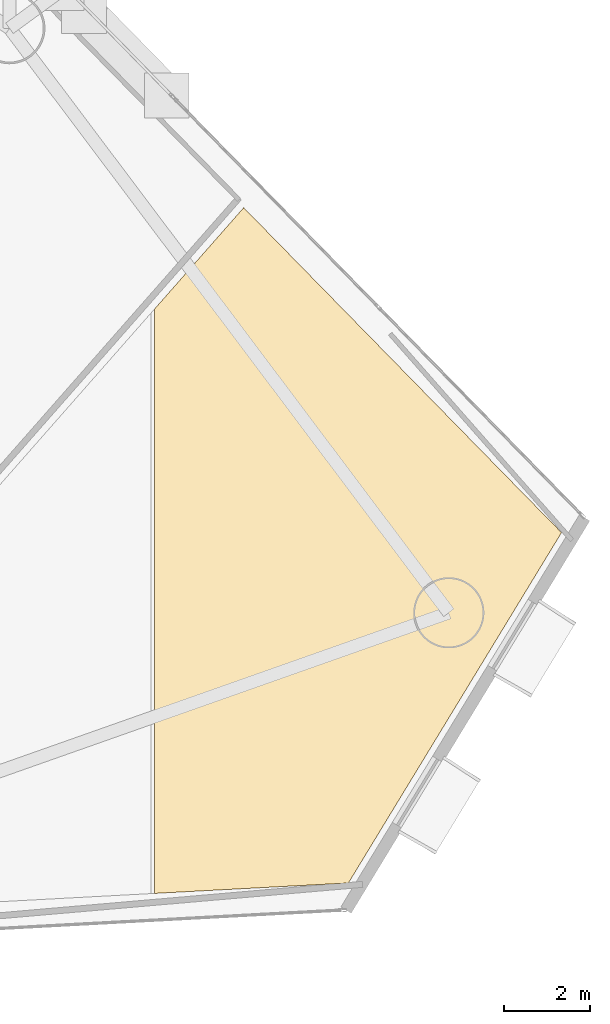
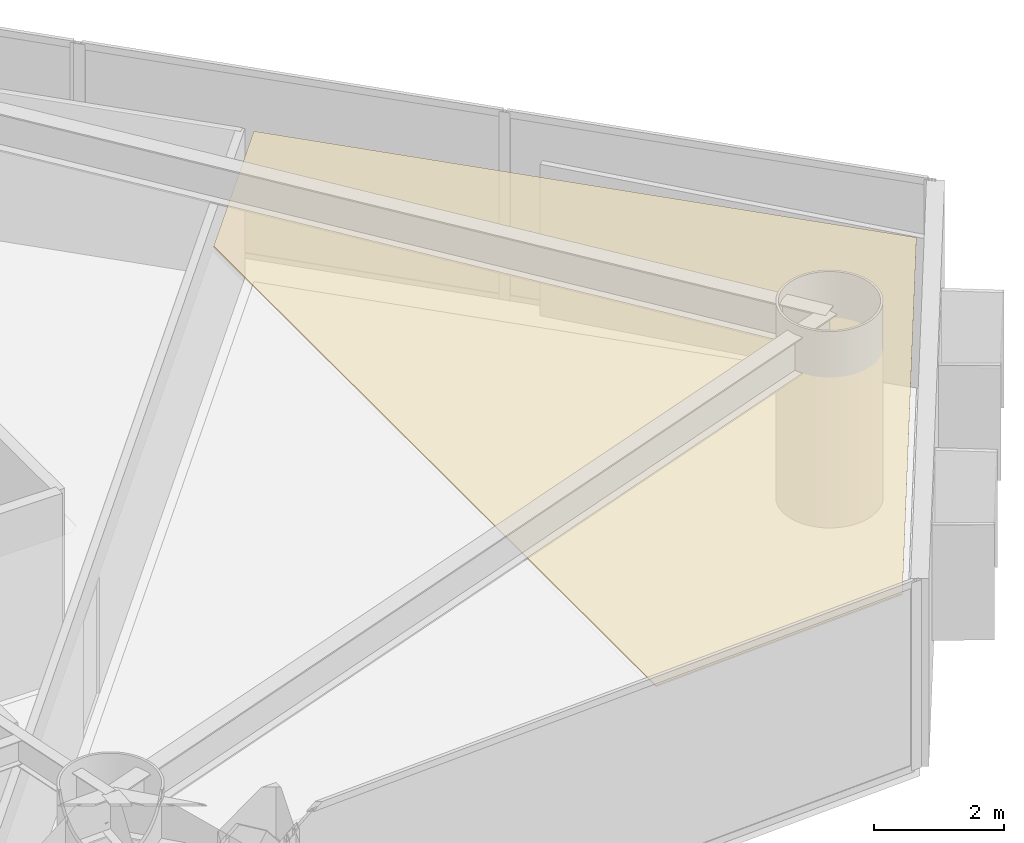
# One storey, part 23 of 23: 1 covering.
"""IFC4 building model written with IfcOpenShell, lengths in metres."""

import ifcopenshell
import ifcopenshell.guid

model = None  # the IFC model being written
_history = None  # IfcOwnerHistory: only IFC2X3 demands one
_inside = {}  # id of a spatial element -> (the spatial element, [elements in it])
_under = {}  # id of a project, library or spatial element -> (it, [spatial elements below it])
_declared = {}  # id of a project -> (the project, [libraries it declares])
_typed = {}  # id of a type object -> (the type object, [elements of that type])
_made_of = {}  # id of a material, layer set ... -> (it, [elements and type objects made of it])


def new_model(schema):
    """Start an empty IFC model of exactly this schema.

    Asked for "IFC4X3", IfcOpenShell would pick the latest addendum, in which some entities
    have other attributes; the version numbers below select the first issue.
    IFC2X3 requires an IfcOwnerHistory on every rooted entity: one is made here for all.
    """
    global model, _history
    if schema == "IFC4X3":
        model = ifcopenshell.file(schema_version=(4, 3, 0, 0))
    else:
        model = ifcopenshell.file(schema=schema)
    _inside.clear()
    _under.clear()
    _declared.clear()
    _typed.clear()
    _made_of.clear()
    _history = None
    if model.schema == "IFC2X3":
        org = make("IfcOrganization", Name="unknown")
        user = make(
            "IfcPersonAndOrganization",
            ThePerson=make("IfcPerson", FamilyName="unknown"),
            TheOrganization=org,
        )
        app = make(
            "IfcApplication",
            ApplicationDeveloper=org,
            Version="unknown",
            ApplicationFullName="unknown",
            ApplicationIdentifier="unknown",
        )
        _history = make(
            "IfcOwnerHistory",
            OwningUser=user,
            OwningApplication=app,
            ChangeAction="ADDED",
            CreationDate=0,
        )
    return model


def make(cls, **values):
    """One entity of the class cls with the attributes given. An attribute that is None is left unset."""
    return model.create_entity(
        cls, **{name: value for name, value in values.items() if value is not None}
    )


def rooted(cls, **values):
    """An entity with a GlobalId (a new one), such as an element, a storey or a relation."""
    return make(cls, GlobalId=ifcopenshell.guid.new(), OwnerHistory=_history, **values)


def si_unit(unit_type, name, prefix=None):
    """IfcSIUnit, for example si_unit("LENGTHUNIT", "METRE", prefix="MILLI")."""
    return make("IfcSIUnit", UnitType=unit_type, Prefix=prefix, Name=name)


def assignment(units):
    """IfcUnitAssignment: the units of a project."""
    return None if units is None else make("IfcUnitAssignment", Units=units)


def point(xyz):
    """IfcCartesianPoint."""
    return None if xyz is None else make("IfcCartesianPoint", Coordinates=xyz)


def direction(xyz):
    """IfcDirection."""
    return None if xyz is None else make("IfcDirection", DirectionRatios=xyz)


def frame(location, z_axis=None, x_axis=None):
    """IfcAxis2Placement3D, a coordinate frame: its origin and axes. An axis left out is left unset."""
    return make(
        "IfcAxis2Placement3D",
        Location=point(location),
        Axis=direction(z_axis),
        RefDirection=direction(x_axis),
    )


def origin():
    """The frame at (0, 0, 0) with its axes left unset."""
    return frame((0.0, 0.0, 0.0))


def place(relative_to, where):
    """IfcLocalPlacement: puts the frame where relative to a parent placement (None: the world)."""
    return make(
        "IfcLocalPlacement", PlacementRelTo=relative_to, RelativePlacement=where
    )


def context(
    kind, dimensions, precision=None, world=None, true_north=None, identifier=None
):
    """IfcGeometricRepresentationContext, for example the 3D "Model" context."""
    return make(
        "IfcGeometricRepresentationContext",
        ContextIdentifier=identifier,
        ContextType=kind,
        CoordinateSpaceDimension=dimensions,
        Precision=precision,
        WorldCoordinateSystem=world,
        TrueNorth=true_north,
    )


def subcontext(parent, identifier, kind, view, scale=None):
    """IfcGeometricRepresentationSubContext, for example "Body" below "Model"."""
    return make(
        "IfcGeometricRepresentationSubContext",
        ContextIdentifier=identifier,
        ContextType=kind,
        ParentContext=parent,
        TargetScale=scale,
        TargetView=view,
    )


def project(units=None, contexts=None):
    """IfcProject with its units and contexts."""
    return rooted(
        "IfcProject",
        Name="project",
        RepresentationContexts=contexts,
        UnitsInContext=assignment(units),
    )


def spatial(cls, under=None, at=None, **own):
    """A site, building, storey or space (cls), placed at a placement, below another one or the project."""
    s = rooted(cls, ObjectPlacement=at, **own)
    if under is not None:
        _under.setdefault(under.id(), (under, []))[1].append(s)
    return s


def polyline(points):
    """IfcPolyline through the points."""
    return make("IfcPolyline", Points=[point(p) for p in points])


def outline(outer, holes=None, kind="AREA"):
    """IfcArbitraryClosedProfileDef: a profile drawn as a closed curve; with holes, ...WithVoids."""
    if holes is None:
        return make("IfcArbitraryClosedProfileDef", ProfileType=kind, OuterCurve=outer)
    return make(
        "IfcArbitraryProfileDefWithVoids",
        ProfileType=kind,
        OuterCurve=outer,
        InnerCurves=holes,
    )


def extrude(swept, where, along, depth):
    """IfcExtrudedAreaSolid: the profile swept, set in the frame where, extruded along a direction by depth."""
    return make(
        "IfcExtrudedAreaSolid",
        SweptArea=swept,
        Position=where,
        ExtrudedDirection=direction(along),
        Depth=depth,
    )


def shape(context_of_items, identifier, shape_type, items):
    """IfcShapeRepresentation: the items that make up one representation, for example the "Body"."""
    return make(
        "IfcShapeRepresentation",
        ContextOfItems=context_of_items,
        RepresentationIdentifier=identifier,
        RepresentationType=shape_type,
        Items=items,
    )


def material(Name=None, Category=None):
    """IfcMaterial."""
    return make("IfcMaterial", Name=Name, Category=Category)


def layer(
    of_material, thickness, ventilated=None, Name=None, Category=None, Priority=None
):
    """IfcMaterialLayer: one layer of a wall or slab, of a material (None: an air gap)."""
    return make(
        "IfcMaterialLayer",
        Material=of_material,
        LayerThickness=thickness,
        IsVentilated=ventilated,
        Name=Name,
        Category=Category,
        Priority=Priority,
    )


def layer_set(layers, Name=None):
    """IfcMaterialLayerSet."""
    return make("IfcMaterialLayerSet", MaterialLayers=layers, LayerSetName=Name)


def made_of(thing, what):
    """Note that an element or type object is made of a material, layer set ...; save() writes the relation."""
    if what is not None:
        _made_of.setdefault(what.id(), (what, []))[1].append(thing)
    return thing


def type_object(cls, material=None, **own):
    """A type object (cls), such as IfcWallType, which elements share."""
    return made_of(rooted(cls, **own), material)


def element(
    cls,
    number,
    at=None,
    inside=None,
    cuts=None,
    type_object=None,
    material=None,
    context=None,
    identifier="Body",
    shape_type=None,
    held_by="IfcProductDefinitionShape",
    body=None,
    shapes=None,
    **own,
):
    """One element of the class cls, such as IfcWall. Its Tag is "e" and its number.

    at: its placement. inside: the storey or other place that contains it. cuts: it is an
    opening in that element (IfcRelVoidsElement). A single representation is given by context,
    identifier, shape_type and body (its items); several are given by shapes. held_by: the class
    of the entity that holds the representations. save() writes the other relations.
    """
    e = rooted(cls, Tag="e%d" % number, ObjectPlacement=at, **own)
    if body is not None:
        shapes = [shape(context, identifier, shape_type, body)]
    if shapes is not None:
        e.Representation = make(held_by, Representations=shapes)
    if inside is not None:
        _inside.setdefault(inside.id(), (inside, []))[1].append(e)
    if cuts is not None:
        rooted(
            "IfcRelVoidsElement", RelatingBuildingElement=cuts, RelatedOpeningElement=e
        )
    if type_object is not None:
        _typed.setdefault(type_object.id(), (type_object, []))[1].append(e)
    return made_of(e, material)


def aggregate(whole, parts):
    """IfcRelAggregates: a whole, such as a stair, and the parts it consists of."""
    return rooted("IfcRelAggregates", RelatingObject=whole, RelatedObjects=parts)


def save(model, path):
    """Write the relations noted so far, then the file.

    IfcRelAggregates (storeys below a building ...), IfcRelContainedInSpatialStructure (elements
    in a storey), IfcRelDefinesByType, IfcRelAssociatesMaterial and IfcRelDeclares: one each for
    every whole, place, type object, material and project.
    """
    for whole, parts in _under.values():
        aggregate(whole, parts)
    for where, things in _inside.values():
        rooted(
            "IfcRelContainedInSpatialStructure",
            RelatedElements=things,
            RelatingStructure=where,
        )
    for kind, things in _typed.values():
        rooted("IfcRelDefinesByType", RelatedObjects=things, RelatingType=kind)
    for what, things in _made_of.values():
        rooted("IfcRelAssociatesMaterial", RelatedObjects=things, RelatingMaterial=what)
    for by, libraries in _declared.values():
        rooted("IfcRelDeclares", RelatingContext=by, RelatedDefinitions=libraries)
    model.write(path)


model = new_model("IFC4")

# Units and contexts
model_context = context("Model", 3, precision=1e-05, world=origin(), true_north=direction((0.0, 1.0)))
body_context = subcontext(model_context, "Body", "Model", "MODEL_VIEW")
ifc_project = project(units=[si_unit("LENGTHUNIT", "METRE"), si_unit("AREAUNIT", "SQUARE_METRE"), si_unit("VOLUMEUNIT", "CUBIC_METRE"), si_unit("PLANEANGLEUNIT", "RADIAN"), si_unit("MASSUNIT", "GRAM", prefix="KILO")], contexts=[model_context])

# Site, building, storey
site_placement = place(None, origin())
site = spatial("IfcSite", under=ifc_project, at=site_placement, CompositionType="ELEMENT")
building_placement = place(site_placement, origin())
building = spatial("IfcBuilding", under=site, at=building_placement, Name="Qianvela Tower", CompositionType="ELEMENT")
storey_placement = place(building_placement, frame((0.0, 0.0, 56.199951171875)))
storey = spatial("IfcBuildingStorey", under=building, at=storey_placement, Name="L13", CompositionType="ELEMENT", Elevation=56.199951171875)

# Covering
ifc_material = material(Name="Perforated Mineral Acoustic Ceiling Tile")
ifc_layer = layer(ifc_material, 0.02490234375)
ifc_layer_set = layer_set([ifc_layer], Name="Perforated Mineral Acoustic Ceiling Tile")
covering_type = type_object("IfcCoveringType", Name="COV-CEIL-ACOUSTIC-25", PredefinedType="CEILING", material=ifc_layer_set)
covering_placement = place(storey_placement, frame((0.0, 0.0, 2.81494140625)))
element("IfcCovering", 1, at=covering_placement, inside=storey, type_object=covering_type, Name="L13 Acoustic Ceiling Bay 2 Media Practice Cinema L13-01B", PredefinedType="CEILING", context=body_context, shape_type="SweptSolid", body=[
    extrude(outline(polyline([(49.3564453125, 13.943359375), (49.3564453125, 27.530029296875), (51.42919921875, 29.885986328125), (58.818359375, 22.331787109375), (53.864501953125, 14.185302734375), (49.3564453125, 13.943359375)])), origin(), (0.0, 0.0, 1.0), 0.025146484375),
])

save(model, "model.ifc")
